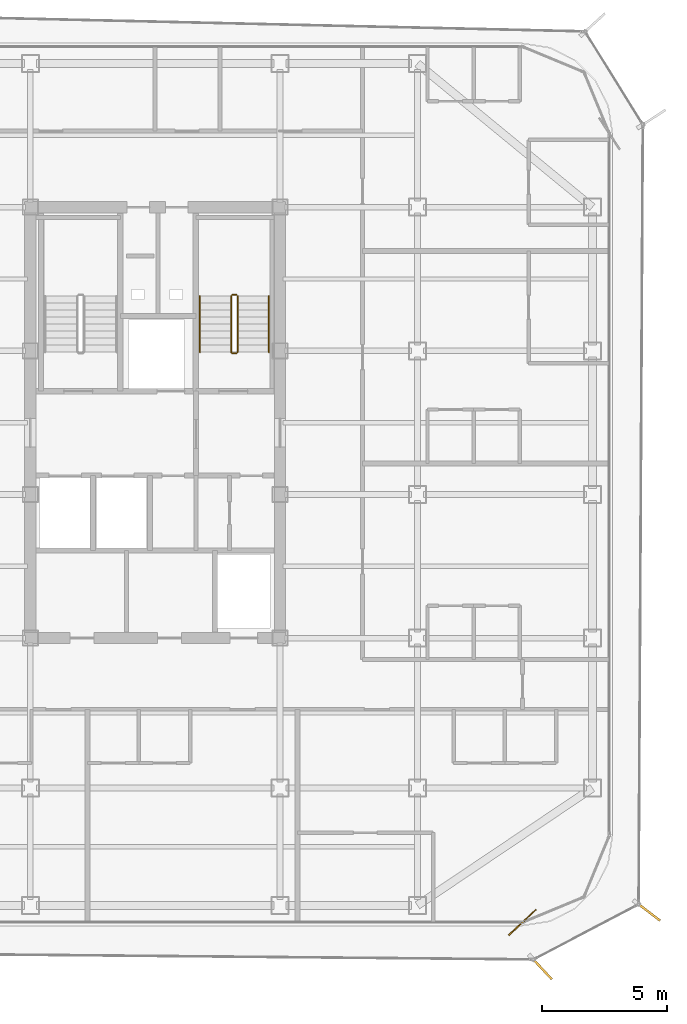
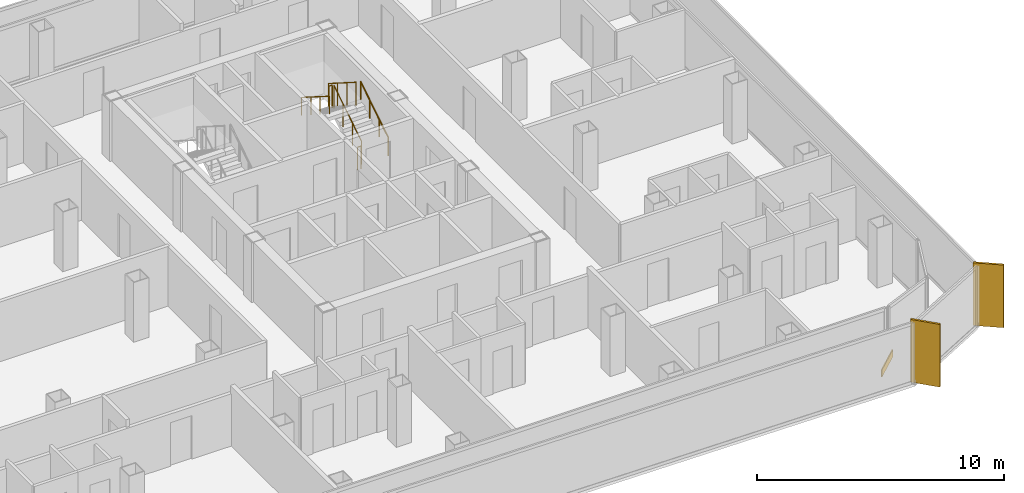
# One storey, part 15 of 16: 6 railings, 2 shading devices, 1 covering.
"""IFC4 building model written with IfcOpenShell, lengths in metres."""

import ifcopenshell
import ifcopenshell.guid

model = None  # the IFC model being written
_history = None  # IfcOwnerHistory: only IFC2X3 demands one
_inside = {}  # id of a spatial element -> (the spatial element, [elements in it])
_under = {}  # id of a project, library or spatial element -> (it, [spatial elements below it])
_declared = {}  # id of a project -> (the project, [libraries it declares])
_typed = {}  # id of a type object -> (the type object, [elements of that type])
_made_of = {}  # id of a material, layer set ... -> (it, [elements and type objects made of it])


def new_model(schema):
    """Start an empty IFC model of exactly this schema.

    Asked for "IFC4X3", IfcOpenShell would pick the latest addendum, in which some entities
    have other attributes; the version numbers below select the first issue.
    IFC2X3 requires an IfcOwnerHistory on every rooted entity: one is made here for all.
    """
    global model, _history
    if schema == "IFC4X3":
        model = ifcopenshell.file(schema_version=(4, 3, 0, 0))
    else:
        model = ifcopenshell.file(schema=schema)
    _inside.clear()
    _under.clear()
    _declared.clear()
    _typed.clear()
    _made_of.clear()
    _history = None
    if model.schema == "IFC2X3":
        org = make("IfcOrganization", Name="unknown")
        user = make(
            "IfcPersonAndOrganization",
            ThePerson=make("IfcPerson", FamilyName="unknown"),
            TheOrganization=org,
        )
        app = make(
            "IfcApplication",
            ApplicationDeveloper=org,
            Version="unknown",
            ApplicationFullName="unknown",
            ApplicationIdentifier="unknown",
        )
        _history = make(
            "IfcOwnerHistory",
            OwningUser=user,
            OwningApplication=app,
            ChangeAction="ADDED",
            CreationDate=0,
        )
    return model


def make(cls, **values):
    """One entity of the class cls with the attributes given. An attribute that is None is left unset."""
    return model.create_entity(
        cls, **{name: value for name, value in values.items() if value is not None}
    )


def rooted(cls, **values):
    """An entity with a GlobalId (a new one), such as an element, a storey or a relation."""
    return make(cls, GlobalId=ifcopenshell.guid.new(), OwnerHistory=_history, **values)


def si_unit(unit_type, name, prefix=None):
    """IfcSIUnit, for example si_unit("LENGTHUNIT", "METRE", prefix="MILLI")."""
    return make("IfcSIUnit", UnitType=unit_type, Prefix=prefix, Name=name)


def assignment(units):
    """IfcUnitAssignment: the units of a project."""
    return None if units is None else make("IfcUnitAssignment", Units=units)


def point(xyz):
    """IfcCartesianPoint."""
    return None if xyz is None else make("IfcCartesianPoint", Coordinates=xyz)


def direction(xyz):
    """IfcDirection."""
    return None if xyz is None else make("IfcDirection", DirectionRatios=xyz)


def frame(location, z_axis=None, x_axis=None):
    """IfcAxis2Placement3D, a coordinate frame: its origin and axes. An axis left out is left unset."""
    return make(
        "IfcAxis2Placement3D",
        Location=point(location),
        Axis=direction(z_axis),
        RefDirection=direction(x_axis),
    )


def frame_2d(location, x_axis=None):
    """IfcAxis2Placement2D, a coordinate frame in the plane: its origin and x axis."""
    return make(
        "IfcAxis2Placement2D", Location=point(location), RefDirection=direction(x_axis)
    )


def origin():
    """The frame at (0, 0, 0) with its axes left unset."""
    return frame((0.0, 0.0, 0.0))


def origin_2d():
    """The frame at (0, 0) in the plane with its x axis left unset."""
    return frame_2d((0.0, 0.0))


def place(relative_to, where):
    """IfcLocalPlacement: puts the frame where relative to a parent placement (None: the world)."""
    return make(
        "IfcLocalPlacement", PlacementRelTo=relative_to, RelativePlacement=where
    )


def context(
    kind, dimensions, precision=None, world=None, true_north=None, identifier=None
):
    """IfcGeometricRepresentationContext, for example the 3D "Model" context."""
    return make(
        "IfcGeometricRepresentationContext",
        ContextIdentifier=identifier,
        ContextType=kind,
        CoordinateSpaceDimension=dimensions,
        Precision=precision,
        WorldCoordinateSystem=world,
        TrueNorth=true_north,
    )


def subcontext(parent, identifier, kind, view, scale=None):
    """IfcGeometricRepresentationSubContext, for example "Body" below "Model"."""
    return make(
        "IfcGeometricRepresentationSubContext",
        ContextIdentifier=identifier,
        ContextType=kind,
        ParentContext=parent,
        TargetScale=scale,
        TargetView=view,
    )


def project(units=None, contexts=None):
    """IfcProject with its units and contexts."""
    return rooted(
        "IfcProject",
        Name="project",
        RepresentationContexts=contexts,
        UnitsInContext=assignment(units),
    )


def spatial(cls, under=None, at=None, **own):
    """A site, building, storey or space (cls), placed at a placement, below another one or the project."""
    s = rooted(cls, ObjectPlacement=at, **own)
    if under is not None:
        _under.setdefault(under.id(), (under, []))[1].append(s)
    return s


def profile(cls, at=None, kind="AREA", **sizes):
    """A parametric profile (cls). Its sizes go by their IFC names, for example OverallWidth=200.0."""
    return make(cls, ProfileType=kind, Position=at, **sizes)


def rectangle(**sizes):
    """IfcRectangleProfileDef."""
    return profile("IfcRectangleProfileDef", **sizes)


def circle(**sizes):
    """IfcCircleProfileDef."""
    return profile("IfcCircleProfileDef", **sizes)


def extrude(swept, where, along, depth):
    """IfcExtrudedAreaSolid: the profile swept, set in the frame where, extruded along a direction by depth."""
    return make(
        "IfcExtrudedAreaSolid",
        SweptArea=swept,
        Position=where,
        ExtrudedDirection=direction(along),
        Depth=depth,
    )


def shape(context_of_items, identifier, shape_type, items):
    """IfcShapeRepresentation: the items that make up one representation, for example the "Body"."""
    return make(
        "IfcShapeRepresentation",
        ContextOfItems=context_of_items,
        RepresentationIdentifier=identifier,
        RepresentationType=shape_type,
        Items=items,
    )


def source(mapping_origin, context_of_items, identifier, shape_type, items):
    """IfcRepresentationMap: a shape defined once, which mapped items show again and again."""
    return make(
        "IfcRepresentationMap",
        MappingOrigin=mapping_origin,
        MappedRepresentation=shape(context_of_items, identifier, shape_type, items),
    )


def transform(
    local_origin,
    x_axis=None,
    y_axis=None,
    z_axis=None,
    scale=None,
    scale2=None,
    scale3=None,
    uniform=True,
):
    """IfcCartesianTransformationOperator3D, or its non-uniform kind. x_axis, y_axis, z_axis: its Axis1, 2, 3."""
    if uniform:
        return make(
            "IfcCartesianTransformationOperator3D",
            Axis1=direction(x_axis),
            Axis2=direction(y_axis),
            LocalOrigin=point(local_origin),
            Scale=scale,
            Axis3=direction(z_axis),
        )
    return make(
        "IfcCartesianTransformationOperator3DnonUniform",
        Axis1=direction(x_axis),
        Axis2=direction(y_axis),
        LocalOrigin=point(local_origin),
        Scale=scale,
        Axis3=direction(z_axis),
        Scale2=scale2,
        Scale3=scale3,
    )


def mapped(mapping_source, mapping_target):
    """IfcMappedItem: shows the shape of a source again, moved by a transform."""
    return make(
        "IfcMappedItem", MappingSource=mapping_source, MappingTarget=mapping_target
    )


def material(Name=None, Category=None):
    """IfcMaterial."""
    return make("IfcMaterial", Name=Name, Category=Category)


def layer(
    of_material, thickness, ventilated=None, Name=None, Category=None, Priority=None
):
    """IfcMaterialLayer: one layer of a wall or slab, of a material (None: an air gap)."""
    return make(
        "IfcMaterialLayer",
        Material=of_material,
        LayerThickness=thickness,
        IsVentilated=ventilated,
        Name=Name,
        Category=Category,
        Priority=Priority,
    )


def layer_set(layers, Name=None):
    """IfcMaterialLayerSet."""
    return make("IfcMaterialLayerSet", MaterialLayers=layers, LayerSetName=Name)


def made_of(thing, what):
    """Note that an element or type object is made of a material, layer set ...; save() writes the relation."""
    if what is not None:
        _made_of.setdefault(what.id(), (what, []))[1].append(thing)
    return thing


def type_object(cls, material=None, **own):
    """A type object (cls), such as IfcWallType, which elements share."""
    return made_of(rooted(cls, **own), material)


def element(
    cls,
    number,
    at=None,
    inside=None,
    cuts=None,
    type_object=None,
    material=None,
    context=None,
    identifier="Body",
    shape_type=None,
    held_by="IfcProductDefinitionShape",
    body=None,
    shapes=None,
    **own,
):
    """One element of the class cls, such as IfcWall. Its Tag is "e" and its number.

    at: its placement. inside: the storey or other place that contains it. cuts: it is an
    opening in that element (IfcRelVoidsElement). A single representation is given by context,
    identifier, shape_type and body (its items); several are given by shapes. held_by: the class
    of the entity that holds the representations. save() writes the other relations.
    """
    e = rooted(cls, Tag="e%d" % number, ObjectPlacement=at, **own)
    if body is not None:
        shapes = [shape(context, identifier, shape_type, body)]
    if shapes is not None:
        e.Representation = make(held_by, Representations=shapes)
    if inside is not None:
        _inside.setdefault(inside.id(), (inside, []))[1].append(e)
    if cuts is not None:
        rooted(
            "IfcRelVoidsElement", RelatingBuildingElement=cuts, RelatedOpeningElement=e
        )
    if type_object is not None:
        _typed.setdefault(type_object.id(), (type_object, []))[1].append(e)
    return made_of(e, material)


def aggregate(whole, parts):
    """IfcRelAggregates: a whole, such as a stair, and the parts it consists of."""
    return rooted("IfcRelAggregates", RelatingObject=whole, RelatedObjects=parts)


def save(model, path):
    """Write the relations noted so far, then the file.

    IfcRelAggregates (storeys below a building ...), IfcRelContainedInSpatialStructure (elements
    in a storey), IfcRelDefinesByType, IfcRelAssociatesMaterial and IfcRelDeclares: one each for
    every whole, place, type object, material and project.
    """
    for whole, parts in _under.values():
        aggregate(whole, parts)
    for where, things in _inside.values():
        rooted(
            "IfcRelContainedInSpatialStructure",
            RelatedElements=things,
            RelatingStructure=where,
        )
    for kind, things in _typed.values():
        rooted("IfcRelDefinesByType", RelatedObjects=things, RelatingType=kind)
    for what, things in _made_of.values():
        rooted("IfcRelAssociatesMaterial", RelatedObjects=things, RelatingMaterial=what)
    for by, libraries in _declared.values():
        rooted("IfcRelDeclares", RelatingContext=by, RelatedDefinitions=libraries)
    model.write(path)


model = new_model("IFC4")

# Units and contexts
model_context = context("Model", 3, precision=1e-05, world=origin(), true_north=direction((0.0, 1.0)))
body_context = subcontext(model_context, "Body", "Model", "MODEL_VIEW")
ifc_project = project(units=[si_unit("LENGTHUNIT", "METRE"), si_unit("AREAUNIT", "SQUARE_METRE"), si_unit("VOLUMEUNIT", "CUBIC_METRE"), si_unit("PLANEANGLEUNIT", "RADIAN"), si_unit("MASSUNIT", "GRAM", prefix="KILO")], contexts=[model_context])

# Site, building, storey
site_placement = place(None, origin())
site = spatial("IfcSite", under=ifc_project, at=site_placement, CompositionType="ELEMENT")
building_placement = place(site_placement, origin())
building = spatial("IfcBuilding", under=site, at=building_placement, Name="Kolveth Station Tower", CompositionType="ELEMENT")
storey_placement = place(building_placement, frame((0.0, 0.0, 162.5)))
storey = spatial("IfcBuildingStorey", under=building, at=storey_placement, Name="L45", CompositionType="ELEMENT", Elevation=162.5)

# Railings
ifc_material_1 = material(Name="Painted Steel S355 balustrade", Category="steel")
railing_type_1 = type_object("IfcRailingType", Name="Guard_GR2", PredefinedType="BALUSTRADE", material=ifc_material_1)
railing_1_placement = place(storey_placement, frame((26.800048828125, 22.949951171875, 0.177734375)))
element("IfcRailing", 1, at=railing_1_placement, inside=storey, type_object=railing_type_1, Name="L45 ST2 stair guard 1", PredefinedType="BALUSTRADE", context=body_context, shape_type="SweptSolid", body=[
    extrude(circle(Radius=0.02392578125, at=origin_2d()), frame((0.0, 0.0, 1.1259765625), z_axis=(0.0, 0.84418770128, 0.536047689118), x_axis=(-1.0, 0.0, 0.0)), (0.0, 0.0, 1.0), 2.6533203125),
    extrude(circle(Radius=0.02099609375, at=origin_2d()), origin(), (0.0, 0.0, 1.0), 1.101806640625),
    extrude(circle(Radius=0.02099609375, at=origin_2d()), frame((0.0, 0.74658203125, 0.47412109375)), (0.0, 0.0, 1.0), 1.101806640625),
    extrude(circle(Radius=0.02099609375, at=origin_2d()), frame((0.0, 1.493408203125, 0.9482421875)), (0.0, 0.0, 1.0), 1.101806640625),
    extrude(circle(Radius=0.02099609375, at=origin_2d()), frame((0.0, 2.239990234375, 1.42236328125)), (0.0, 0.0, 1.0), 1.101806640625),
])
railing_2_placement = place(storey_placement, frame((26.75, 25.239990234375, 1.60009765625)))
element("IfcRailing", 2, at=railing_2_placement, inside=storey, type_object=railing_type_1, Name="L45 ST2 stair guard 2", PredefinedType="BALUSTRADE", context=body_context, shape_type="SweptSolid", body=[
    extrude(circle(Radius=0.02392578125, at=origin_2d()), frame((0.0, 0.0, 1.1259765625), z_axis=(-1.0, 0.0, 0.0), x_axis=(0.0, -1.0, 0.0)), (0.0, 0.0, 1.0), 0.159912109375),
    extrude(circle(Radius=0.02099609375, at=origin_2d()), origin(), (0.0, 0.0, 1.0), 1.101806640625),
    extrude(circle(Radius=0.02099609375, at=origin_2d()), frame((-0.159912109375, 0.0, 0.0)), (0.0, 0.0, 1.0), 1.101806640625),
])
railing_3_placement = place(storey_placement, frame((26.5400390625, 25.18994140625, 1.77783203125)))
element("IfcRailing", 3, at=railing_3_placement, inside=storey, type_object=railing_type_1, Name="L45 ST2 stair guard 3", PredefinedType="BALUSTRADE", context=body_context, shape_type="SweptSolid", body=[
    extrude(circle(Radius=0.02392578125, at=origin_2d()), frame((0.0, 0.0, 1.1259765625), z_axis=(0.0, -0.8442293374, 0.53598211339), x_axis=(1.0, 0.0, 0.0)), (0.0, 0.0, 1.0), 2.6533203125),
    extrude(circle(Radius=0.02099609375, at=origin_2d()), origin(), (0.0, 0.0, 1.0), 1.101806640625),
    extrude(circle(Radius=0.02099609375, at=origin_2d()), frame((0.0, -0.74658203125, 0.47412109375)), (0.0, 0.0, 1.0), 1.101806640625),
    extrude(circle(Radius=0.02099609375, at=origin_2d()), frame((0.0, -1.493408203125, 0.947998046875)), (0.0, 0.0, 1.0), 1.101806640625),
    extrude(circle(Radius=0.02099609375, at=origin_2d()), frame((0.0, -2.239990234375, 1.422119140625)), (0.0, 0.0, 1.0), 1.101806640625),
])
railing_4_placement = place(storey_placement, frame((26.75, 22.89990234375, 0.0)))
element("IfcRailing", 4, at=railing_4_placement, inside=storey, type_object=railing_type_1, Name="L45 ST2 stair guard 4", PredefinedType="BALUSTRADE", context=body_context, shape_type="SweptSolid", body=[
    extrude(circle(Radius=0.02392578125, at=origin_2d()), frame((0.0, 0.0, 1.1259765625), z_axis=(-1.0, 0.0, 0.0), x_axis=(0.0, -1.0, 0.0)), (0.0, 0.0, 1.0), 0.159912109375),
    extrude(circle(Radius=0.02099609375, at=origin_2d()), origin(), (0.0, 0.0, 1.0), 1.101806640625),
    extrude(circle(Radius=0.02099609375, at=origin_2d()), frame((-0.159912109375, 0.0, 0.0)), (0.0, 0.0, 1.0), 1.101806640625),
])
ifc_material_2 = material(Name="Brushed stainless steel", Category="steel")
railing_type_2 = type_object("IfcRailingType", Name="Handrail_HR1", PredefinedType="HANDRAIL", material=ifc_material_2)
railing_5_placement = place(storey_placement, frame((28.050048828125, 22.949951171875, 0.177734375)))
element("IfcRailing", 5, at=railing_5_placement, inside=storey, type_object=railing_type_2, Name="L45 ST2 stair handrail 1", PredefinedType="HANDRAIL", context=body_context, shape_type="SweptSolid", body=[
    extrude(circle(Radius=0.02392578125, at=origin_2d()), frame((0.0, 0.0, 0.8759765625), z_axis=(0.0, 0.84418770128, 0.536047689118), x_axis=(-1.0, 0.0, 0.0)), (0.0, 0.0, 1.0), 2.6533203125),
    extrude(circle(Radius=0.02099609375, at=origin_2d()), origin(), (0.0, 0.0, 1.0), 0.851806640625),
    extrude(circle(Radius=0.02099609375, at=origin_2d()), frame((0.0, 0.74658203125, 0.47412109375)), (0.0, 0.0, 1.0), 0.851806640625),
    extrude(circle(Radius=0.02099609375, at=origin_2d()), frame((0.0, 1.493408203125, 0.9482421875)), (0.0, 0.0, 1.0), 0.851806640625),
    extrude(circle(Radius=0.02099609375, at=origin_2d()), frame((0.0, 2.239990234375, 1.42236328125)), (0.0, 0.0, 1.0), 0.851806640625),
])
railing_6_placement = place(storey_placement, frame((25.2900390625, 25.18994140625, 1.77783203125)))
element("IfcRailing", 6, at=railing_6_placement, inside=storey, type_object=railing_type_2, Name="L45 ST2 stair handrail 2", PredefinedType="HANDRAIL", context=body_context, shape_type="SweptSolid", body=[
    extrude(circle(Radius=0.02392578125, at=origin_2d()), frame((0.0, 0.0, 0.8759765625), z_axis=(0.0, -0.8442293374, 0.53598211339), x_axis=(1.0, 0.0, 0.0)), (0.0, 0.0, 1.0), 2.6533203125),
    extrude(circle(Radius=0.02099609375, at=origin_2d()), origin(), (0.0, 0.0, 1.0), 0.851806640625),
    extrude(circle(Radius=0.02099609375, at=origin_2d()), frame((0.0, -0.74658203125, 0.47412109375)), (0.0, 0.0, 1.0), 0.851806640625),
    extrude(circle(Radius=0.02099609375, at=origin_2d()), frame((0.0, -1.493408203125, 0.947998046875)), (0.0, 0.0, 1.0), 0.851806640625),
    extrude(circle(Radius=0.02099609375, at=origin_2d()), frame((0.0, -2.239990234375, 1.422119140625)), (0.0, 0.0, 1.0), 0.851806640625),
])

# Shading devices
ifc_material_3 = material(Name="Black anodized aluminium 6063-T6", Category="aluminium")
shading_device_type = type_object("IfcShadingDeviceType", Name="FIN_VF1", PredefinedType="USERDEFINED", material=ifc_material_3)
shared_shape_1 = source(origin(), body_context, "Body", "SweptSolid", [
    extrude(rectangle(XDim=1.25, YDim=0.090087890625, at=origin_2d()), origin(), (0.0, 0.0, 1.0), 3.10009765625),
])
for number, where, z_axis, x_axis, name in (
    (7, (38.950927734375, -1.697998046875, 0.0), (0.0, 0.0, 1.0), (0.682125994975, -0.731234659312, 0.0), "L45 Dark-Aluminium Solar Fin 1"),
    (8, (43.216064453125, 0.570068359375, 0.0), (0.0, 0.0, 1.0), (0.794096490407, -0.607791710969, 0.0), "L45 Dark-Aluminium Solar Fin 2"),
):
    element("IfcShadingDevice", number, at=place(storey_placement, frame(where, z_axis=z_axis, x_axis=x_axis)), inside=storey, type_object=shading_device_type, Name=name, ObjectType="FIN", PredefinedType="USERDEFINED", context=body_context, shape_type="MappedRepresentation", body=[
        mapped(shared_shape_1, transform((0.0, 0.0, 0.0), x_axis=(1.0, 0.0, 0.0), y_axis=(0.0, 1.0, 0.0), z_axis=(0.0, 0.0, 1.0), scale=1.0)),
    ])

# Covering
ifc_material_4 = material(Name="Charcoal anodized aluminium spandrel cladding", Category="aluminium")
ifc_layer = layer(ifc_material_4, 0.044921875)
ifc_layer_set = layer_set([ifc_layer], Name="Charcoal anodized aluminium spandrel cladding")
covering_type = type_object("IfcCoveringType", Name="Clad_CD1", PredefinedType="CLADDING", material=ifc_layer_set)
shared_shape_2 = source(origin(), body_context, "Body", "SweptSolid", [
    extrude(rectangle(XDim=1.5, YDim=0.044921875, at=origin_2d()), origin(), (0.0, 0.0, 1.0), 0.360107421875),
])
covering_placement = place(storey_placement, frame((38.199951171875, 0.1201171875, 0.0), z_axis=(0.0, 0.0, 1.0), x_axis=(0.731234659312, 0.682125994975, 0.0)))
element("IfcCovering", 9, at=covering_placement, inside=storey, type_object=covering_type, Name="L45 Spandrel Edge Cladding 1", PredefinedType="CLADDING", context=body_context, shape_type="MappedRepresentation", body=[
    mapped(shared_shape_2, transform((0.0, 0.0, 0.0), x_axis=(1.0, 0.0, 0.0), y_axis=(0.0, 1.0, 0.0), z_axis=(0.0, 0.0, 1.0), scale=1.0)),
])

save(model, "model.ifc")
